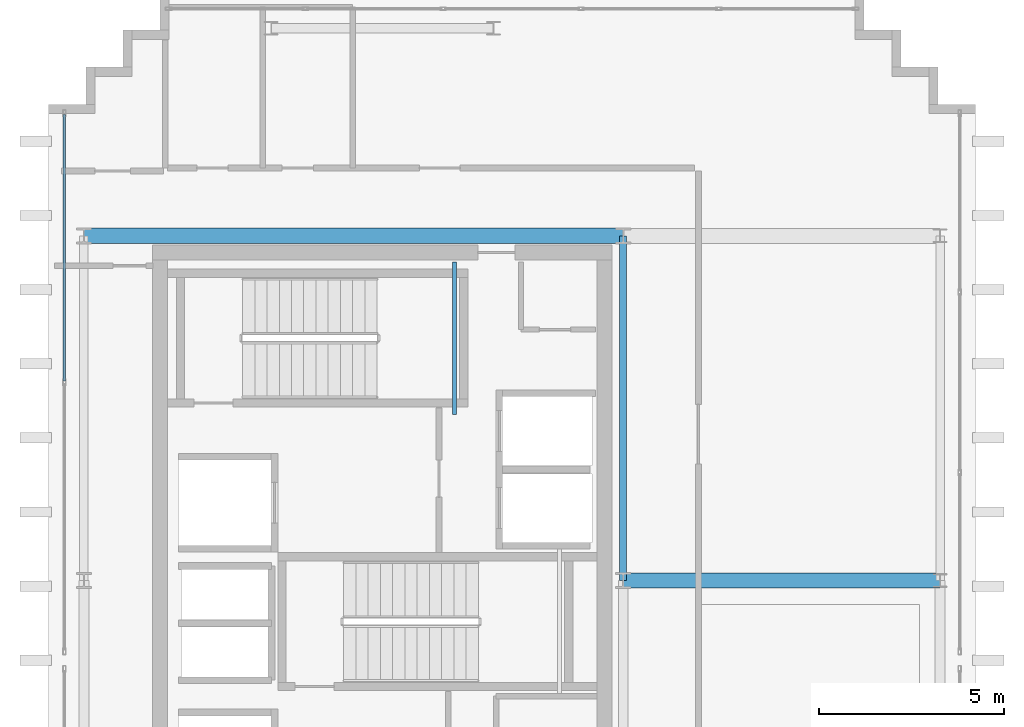
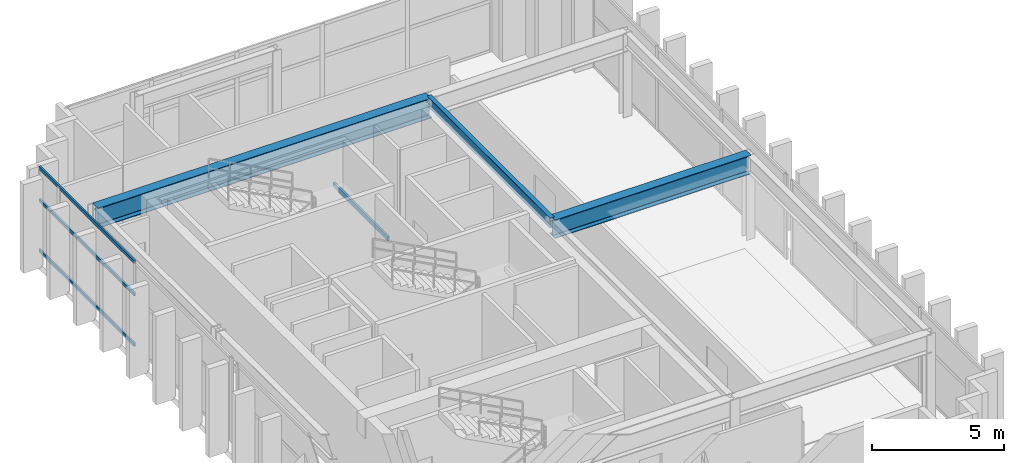
# One storey, part 6 of 15: 4 beams, 3 members, 1 element without a shape of its own.
"""IFC4 building model written with IfcOpenShell, lengths in metres."""

from ifc_helpers import new_model, si_unit, direction, frame, origin, origin_2d, place, context, subcontext, project, spatial, hollow_rectangle, i_section, extrude, source, transform, mapped, material, layer, layer_set, material_profile, profile_set, type_object, element, aggregate, save


model = new_model("IFC4")

# Units and contexts
model_context = context("Model", 3, precision=1e-05, world=origin(), true_north=direction((0.0, 1.0)))
body_context = subcontext(model_context, "Body", "Model", "MODEL_VIEW")
ifc_project = project(units=[si_unit("LENGTHUNIT", "METRE"), si_unit("AREAUNIT", "SQUARE_METRE"), si_unit("VOLUMEUNIT", "CUBIC_METRE"), si_unit("PLANEANGLEUNIT", "RADIAN"), si_unit("MASSUNIT", "GRAM", prefix="KILO")], contexts=[model_context])

# Site, building, storey
site_placement = place(None, origin())
site = spatial("IfcSite", under=ifc_project, at=site_placement, CompositionType="ELEMENT")
building_placement = place(site_placement, origin())
building = spatial("IfcBuilding", under=site, at=building_placement, Name="Ocotamira Hotel", CompositionType="ELEMENT")
storey_placement = place(building_placement, frame((0.0, 0.0, 305.39990234375)))
storey = spatial("IfcBuildingStorey", under=building, at=storey_placement, Name="L78", CompositionType="ELEMENT", Elevation=305.39990234375)

# Beams
ifc_material_1 = material(Name="Steel ASTM A500 Grade C", Category="steel")
ifc_material_profile_1 = material_profile(ifc_material_1, hollow_rectangle(XDim=0.10009765625, YDim=0.199951171875, WallThickness=0.008056640625, at=origin_2d()), Name="HSS200X100X8")
ifc_profile_set_1 = profile_set([ifc_material_profile_1], Name="Steel ASTM A500 Grade C")
beam_type_1 = type_object("IfcBeamType", Name="BM-STLDG-HSS200", PredefinedType="BEAM", material=ifc_profile_set_1)
shared_shape_1 = source(origin(), body_context, "Body", "SweptSolid", [
    extrude(hollow_rectangle(XDim=0.10009765625, YDim=0.199951171875, WallThickness=0.008056640625, at=origin_2d()), origin(), (0.0, 0.0, 1.0), 4.1201171875),
])
beam_1_placement = place(storey_placement, frame((18.949951171875, 32.6298828125, 1.800048828125), z_axis=(0.0, 1.0, 0.0), x_axis=(-1.0, 0.0, 0.0)))
element("IfcBeam", 1, at=beam_1_placement, inside=storey, type_object=beam_type_1, Name="L78 Stair ST-2 Landing Bearer 1", PredefinedType="BEAM", context=body_context, shape_type="MappedRepresentation", body=[
    mapped(shared_shape_1, transform((0.0, 0.0, 0.0), scale=1.0)),
])
ifc_material_2 = material(Name="Steel ASTM A992 Grade 50", Category="steel")
ifc_material_profile_2 = material_profile(ifc_material_2, i_section(OverallWidth=0.41796875, OverallDepth=0.927001953125, WebThickness=0.019287109375, FlangeThickness=0.031982421875, FilletRadius=0.02392578125, at=origin_2d()), Name="W36X231")
ifc_profile_set_2 = profile_set([ifc_material_profile_2], Name="Steel ASTM A992 Grade 50")
beam_type_2 = type_object("IfcBeamType", Name="BM-GIRD-W36X231", PredefinedType="BEAM", material=ifc_profile_set_2)
shared_shape_2 = source(origin(), body_context, "Body", "SweptSolid", [
    extrude(i_section(OverallWidth=0.41796875, OverallDepth=0.927001953125, WebThickness=0.019287109375, FlangeThickness=0.031982421875, FilletRadius=0.02392578125, at=origin_2d()), origin(), (0.0, 0.0, 1.0), 14.550048828125),
])
beam_2_placement = place(storey_placement, frame((8.949951171875, 37.449951171875, 3.41650390625), z_axis=(1.0, 0.0, 0.0), x_axis=(0.0, 1.0, 0.0)))
element("IfcBeam", 2, at=beam_2_placement, inside=storey, type_object=beam_type_2, Name="L78 Girder Y37.45 X8.95-23.5", PredefinedType="BEAM", context=body_context, shape_type="MappedRepresentation", body=[
    mapped(shared_shape_2, transform((0.0, 0.0, 0.0), scale=1.0)),
])
ifc_material_profile_3 = material_profile(ifc_material_2, i_section(OverallWidth=0.18994140625, OverallDepth=0.45703125, WebThickness=0.009033203125, FlangeThickness=0.014404296875, FilletRadius=0.010009765625, at=origin_2d()), Name="W18X50")
ifc_profile_set_3 = profile_set([ifc_material_profile_3], Name="Steel ASTM A992 Grade 50")
beam_type_3 = type_object("IfcBeamType", Name="BM-SEC-W18X50", PredefinedType="JOIST", material=ifc_profile_set_3)
shared_shape_3 = source(origin(), body_context, "Body", "SweptSolid", [
    extrude(i_section(OverallWidth=0.18994140625, OverallDepth=0.45703125, WebThickness=0.009033203125, FlangeThickness=0.014404296875, FilletRadius=0.010009765625, at=origin_2d()), origin(), (0.0, 0.0, 1.0), 9.300048828125),
])
beam_3_placement = place(storey_placement, frame((23.5, 28.14990234375, 3.651611328125), z_axis=(0.0, 1.0, 0.0), x_axis=(-1.0, 0.0, 0.0)))
element("IfcBeam", 3, at=beam_3_placement, inside=storey, type_object=beam_type_3, Name="L78 Beam X23.5 Y28.15-37.45", PredefinedType="JOIST", context=body_context, shape_type="MappedRepresentation", body=[
    mapped(shared_shape_3, transform((0.0, 0.0, 0.0), scale=1.0)),
])
ifc_material_profile_4 = material_profile(ifc_material_2, i_section(OverallWidth=0.39990234375, OverallDepth=0.85595703125, WebThickness=0.018310546875, FlangeThickness=0.029296875, FilletRadius=0.02001953125, at=origin_2d()), Name="W33X201")
ifc_profile_set_4 = profile_set([ifc_material_profile_4], Name="Steel ASTM A992 Grade 50")
beam_type_4 = type_object("IfcBeamType", Name="BM-GIRD-W33X201", PredefinedType="BEAM", material=ifc_profile_set_4)
shared_shape_4 = source(origin(), body_context, "Body", "SweptSolid", [
    extrude(i_section(OverallWidth=0.39990234375, OverallDepth=0.85595703125, WebThickness=0.018310546875, FlangeThickness=0.029296875, FilletRadius=0.02001953125, at=origin_2d()), origin(), (0.0, 0.0, 1.0), 8.550048828125),
])
beam_4_placement = place(storey_placement, frame((23.5, 28.14990234375, 3.4521484375), z_axis=(1.0, 0.0, 0.0), x_axis=(0.0, 1.0, 0.0)))
element("IfcBeam", 4, at=beam_4_placement, inside=storey, type_object=beam_type_4, Name="L78 Girder Y28.15 X23.5-32.05", PredefinedType="BEAM", context=body_context, shape_type="MappedRepresentation", body=[
    mapped(shared_shape_4, transform((0.0, 0.0, 0.0), scale=1.0)),
])

# Curtain wall, members
ifc_material_3 = material(Name="Anodised pale-metal aluminium and solar glass", Category="aluminium")
ifc_layer = layer(ifc_material_3, 0.2099609375)
ifc_layer_set = layer_set([ifc_layer], Name="Anodised pale-metal aluminium and solar glass")
curtain_wall_type = type_object("IfcCurtainWallType", Name="CW-SYS7-PEAK", PredefinedType="NOTDEFINED", material=ifc_layer_set)
curtain_wall_placement = place(storey_placement, origin())
curtain_wall = element("IfcCurtainWall", 5, at=curtain_wall_placement, inside=storey, type_object=curtain_wall_type, Name="L78 Curtain Wall CW-7 CW-L78-W2", PredefinedType="NOTDEFINED")
ifc_material_4 = material(Name="Anodised pale-metal aluminium 6063-T6", Category="aluminium")
ifc_material_profile_5 = material_profile(ifc_material_4, hollow_rectangle(XDim=0.074951171875, YDim=0.14990234375, WallThickness=0.006103515625, at=origin_2d()), Name="HSS150X75X6")
ifc_profile_set_5 = profile_set([ifc_material_profile_5], Name="Anodised pale-metal aluminium 6063-T6")
member_type = type_object("IfcMemberType", Name="CWT-150X75", PredefinedType="USERDEFINED", material=ifc_profile_set_5)
shared_shape_5 = source(origin(), body_context, "Body", "SweptSolid", [
    extrude(hollow_rectangle(XDim=0.074951171875, YDim=0.14990234375, WallThickness=0.006103515625, at=origin_2d()), origin(), (0.0, 0.0, 1.0), 7.179931640625),
])
member_1_placement = place(storey_placement, frame((8.419921875, 33.5400390625, 0.03759765625), z_axis=(0.0, 1.0, 0.0), x_axis=(-1.0, 0.0, 0.0)))
member_1 = element("IfcMember", 6, at=member_1_placement, type_object=member_type, Name="CW-7 transom 2.1", ObjectType="TRANSOM", PredefinedType="USERDEFINED", context=body_context, shape_type="MappedRepresentation", body=[
    mapped(shared_shape_5, transform((0.0, 0.0, 0.0), scale=1.0)),
])
member_2_placement = place(storey_placement, frame((8.419921875, 33.5400390625, 2.35009765625), z_axis=(0.0, 1.0, 0.0), x_axis=(-1.0, 0.0, 0.0)))
member_2 = element("IfcMember", 7, at=member_2_placement, type_object=member_type, Name="CW-7 transom 2.2", ObjectType="TRANSOM", PredefinedType="USERDEFINED", context=body_context, shape_type="MappedRepresentation", body=[
    mapped(shared_shape_5, transform((0.0, 0.0, 0.0), scale=1.0)),
])
member_3_placement = place(storey_placement, frame((8.419921875, 33.5400390625, 3.842529296875), z_axis=(0.0, 1.0, 0.0), x_axis=(-1.0, 0.0, 0.0)))
member_3 = element("IfcMember", 8, at=member_3_placement, type_object=member_type, Name="CW-7 transom 2.3", ObjectType="TRANSOM", PredefinedType="USERDEFINED", context=body_context, shape_type="MappedRepresentation", body=[
    mapped(shared_shape_5, transform((0.0, 0.0, 0.0), scale=1.0)),
])
aggregate(curtain_wall, [member_1, member_2, member_3])

save(model, "model.ifc")
